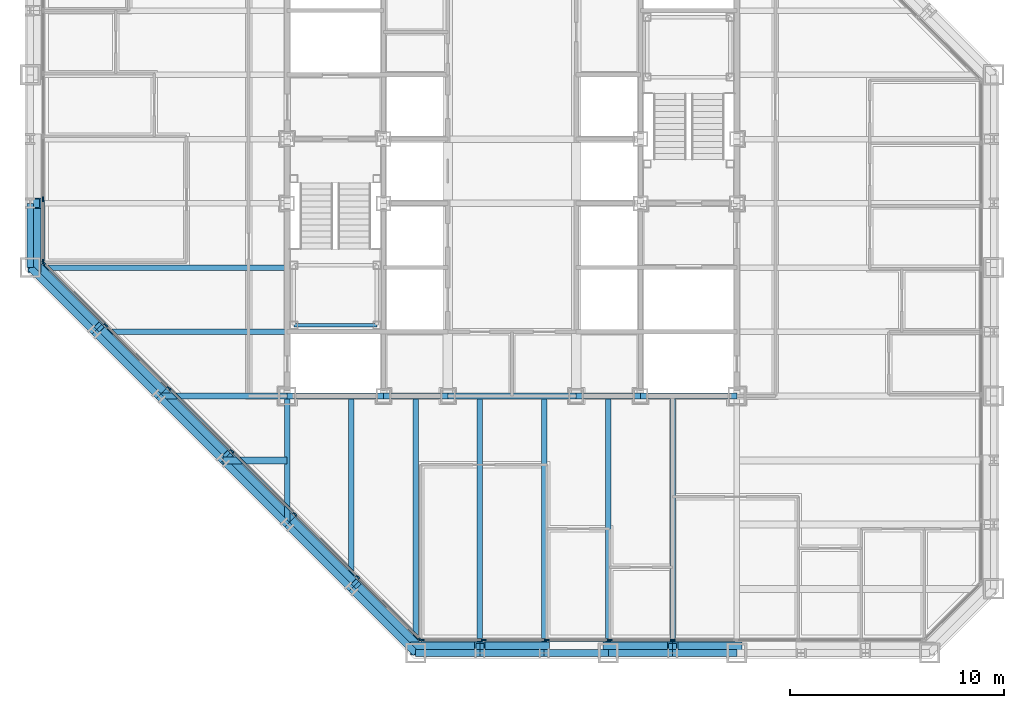
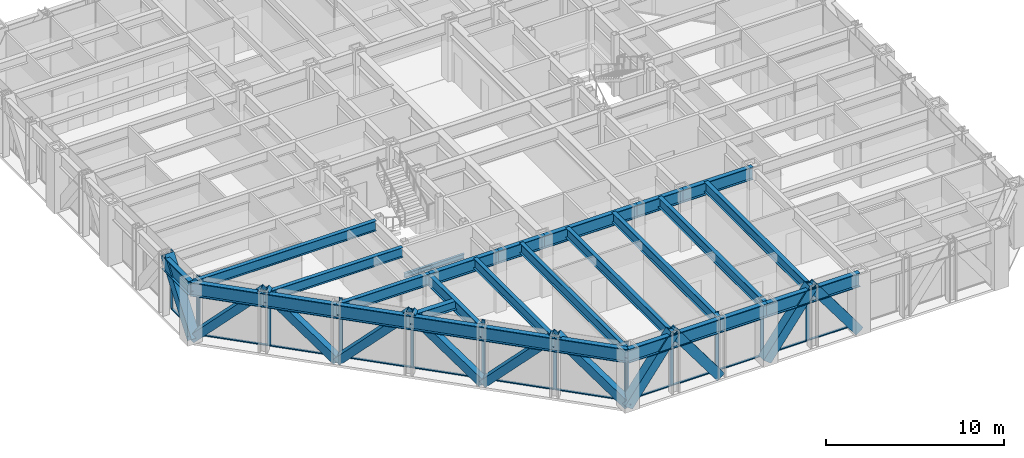
# One storey, part 4 of 16: 37 members, 29 beams, 3 elements without a shape of their own.
"""IFC4 building model written with IfcOpenShell, lengths in metres."""

from ifc_helpers import new_model, si_unit, direction, frame, origin, origin_2d, place, context, subcontext, project, spatial, rectangle, hollow_rectangle, i_section, extrude, material, layer, layer_set, material_profile, profile_set, type_object, element, aggregate, save


model = new_model("IFC4")

# Units and contexts
model_context = context("Model", 3, precision=1e-05, world=origin(), true_north=direction((0.0, 1.0)))
body_context = subcontext(model_context, "Body", "Model", "MODEL_VIEW")
ifc_project = project(units=[si_unit("LENGTHUNIT", "METRE"), si_unit("AREAUNIT", "SQUARE_METRE"), si_unit("VOLUMEUNIT", "CUBIC_METRE"), si_unit("PLANEANGLEUNIT", "RADIAN"), si_unit("MASSUNIT", "GRAM", prefix="KILO")], contexts=[model_context])

# Site, building, storey
site_placement = place(None, origin())
site = spatial("IfcSite", under=ifc_project, at=site_placement, CompositionType="ELEMENT")
building_placement = place(site_placement, origin())
building = spatial("IfcBuilding", under=site, at=building_placement, Name="Chuquiago Exchange Tower", CompositionType="ELEMENT")
storey_placement = place(building_placement, frame((0.0, 0.0, 119.39990234375)))
storey = spatial("IfcBuildingStorey", under=building, at=storey_placement, Name="L25", CompositionType="ELEMENT", Elevation=119.39990234375)

# Beams
ifc_material_1 = material(Name="Steel ASTM A992", Category="steel")
ifc_material_profile_1 = material_profile(ifc_material_1, i_section(OverallWidth=0.25390625, OverallDepth=0.683349609375, WebThickness=0.012451171875, FlangeThickness=0.018798828125, at=origin_2d()), Name="W27X94")
ifc_profile_set_1 = profile_set([ifc_material_profile_1], Name="Steel ASTM A992")
beam_type_1 = type_object("IfcBeamType", Name="B1 W27X94", PredefinedType="BEAM", material=ifc_profile_set_1)
beam_1_placement = place(storey_placement, frame((15.0, 12.0, 3.698486328125), z_axis=(0.0, -1.0, 0.0), x_axis=(1.0, 0.0, 0.0)))
element("IfcBeam", 1, at=beam_1_placement, inside=storey, type_object=beam_type_1, Name="FB-L26-infill-15_12-15_3-0", PredefinedType="BEAM", context=body_context, shape_type="SweptSolid", body=[
    extrude(i_section(OverallWidth=0.25390625, OverallDepth=0.683349609375, WebThickness=0.012451171875, FlangeThickness=0.018798828125, at=origin_2d()), origin(), (0.0, 0.0, 1.0), 9.0),
])
for number, where, z_axis, x_axis, name in (
    (2, (18.0, 12.0, 3.698486328125), (0.0, -1.0, 0.0), (1.0, 0.0, 0.0), "FB-L26-infill-18_12-18_-0-0"),
    (3, (21.0, 12.0, 3.698486328125), (0.0, -1.0, 0.0), (1.0, 0.0, 0.0), "FB-L26-infill-21_12-21_-0-0"),
    (4, (24.0, 12.0, 3.698486328125), (0.0, -1.0, 0.0), (1.0, 0.0, 0.0), "FB-L26-infill-24_12-24_-0-0"),
    (5, (27.0, 12.0, 3.698486328125), (0.0, -1.0, 0.0), (1.0, 0.0, 0.0), "FB-L26-infill-27_12-27_-0-0"),
    (6, (30.0, 12.0, 3.698486328125), (0.0, -1.0, 0.0), (1.0, 0.0, 0.0), "FB-L26-infill-30_12-30_-0-0"),
):
    element("IfcBeam", number, at=place(storey_placement, frame(where, z_axis=z_axis, x_axis=x_axis)), inside=storey, type_object=beam_type_1, Name=name, PredefinedType="BEAM", context=body_context, shape_type="SweptSolid", body=[
        extrude(i_section(OverallWidth=0.25390625, OverallDepth=0.683349609375, WebThickness=0.012451171875, FlangeThickness=0.018798828125, at=origin_2d()), origin(), (0.0, 0.0, 1.0), 12.0),
    ])
beam_2_placement = place(storey_placement, frame((12.0, 15.0, 3.698486328125), z_axis=(-1.0, 0.0, 0.0), x_axis=(0.0, -1.0, 0.0)))
element("IfcBeam", 7, at=beam_2_placement, inside=storey, type_object=beam_type_1, Name="FB-L26-infill-12_15-3_15-0", PredefinedType="BEAM", context=body_context, shape_type="SweptSolid", body=[
    extrude(i_section(OverallWidth=0.25390625, OverallDepth=0.683349609375, WebThickness=0.012451171875, FlangeThickness=0.018798828125, at=origin_2d()), origin(), (0.0, 0.0, 1.0), 9.0),
])
beam_3_placement = place(storey_placement, frame((12.0, 18.0, 3.698486328125), z_axis=(-1.0, 0.0, 0.0), x_axis=(0.0, -1.0, 0.0)))
element("IfcBeam", 8, at=beam_3_placement, inside=storey, type_object=beam_type_1, Name="FB-L26-infill-12_18--0_18-0", PredefinedType="BEAM", context=body_context, shape_type="SweptSolid", body=[
    extrude(i_section(OverallWidth=0.25390625, OverallDepth=0.683349609375, WebThickness=0.012451171875, FlangeThickness=0.018798828125, at=origin_2d()), origin(), (0.0, 0.0, 1.0), 12.0),
])
ifc_material_2 = material(Name="Steel ASTM A992", Category="steel")
ifc_material_profile_2 = material_profile(ifc_material_2, i_section(OverallWidth=0.3251953125, OverallDepth=0.612060546875, WebThickness=0.0126953125, FlangeThickness=0.01904296875, at=origin_2d()), Name="W24X104")
ifc_profile_set_2 = profile_set([ifc_material_profile_2], Name="Steel ASTM A992")
beam_type_2 = type_object("IfcBeamType", Name="B2 W24X104", PredefinedType="BEAM", material=ifc_profile_set_2)
beam_4_placement = place(storey_placement, frame((12.0, 9.0, 3.73388671875), z_axis=(-1.0, 0.0, 0.0), x_axis=(0.0, -1.0, 0.0)))
element("IfcBeam", 9, at=beam_4_placement, inside=storey, type_object=beam_type_2, Name="FB-L26-corner-12_9-9_9-0", PredefinedType="BEAM", context=body_context, shape_type="SweptSolid", body=[
    extrude(i_section(OverallWidth=0.3251953125, OverallDepth=0.612060546875, WebThickness=0.0126953125, FlangeThickness=0.01904296875, at=origin_2d()), origin(), (0.0, 0.0, 1.0), 3.0),
])
ifc_material_3 = material(Name="Steel ASTM A992", Category="steel")
ifc_material_profile_3 = material_profile(ifc_material_3, i_section(OverallWidth=0.2919921875, OverallDepth=0.8583984375, WebThickness=0.01708984375, FlangeThickness=0.031005859375, at=origin_2d()), Name="W33X169")
ifc_profile_set_3 = profile_set([ifc_material_profile_3], Name="Steel ASTM A992")
beam_type_3 = type_object("IfcBeamType", Name="B3 W33X169", PredefinedType="BEAM", material=ifc_profile_set_3)
beam_5_placement = place(storey_placement, frame((12.0, 12.0, 3.61083984375), z_axis=(1.0, 0.0, 0.0), x_axis=(0.0, 1.0, 0.0)))
element("IfcBeam", 10, at=beam_5_placement, inside=storey, type_object=beam_type_3, Name="CB-L26-12_12-16.5_12", PredefinedType="BEAM", context=body_context, shape_type="SweptSolid", body=[
    extrude(i_section(OverallWidth=0.2919921875, OverallDepth=0.8583984375, WebThickness=0.01708984375, FlangeThickness=0.031005859375, at=origin_2d()), origin(), (0.0, 0.0, 1.0), 4.5),
])
beam_6_placement = place(storey_placement, frame((16.5, 12.0, 3.61083984375), z_axis=(1.0, 0.0, 0.0), x_axis=(0.0, 1.0, 0.0)))
element("IfcBeam", 11, at=beam_6_placement, inside=storey, type_object=beam_type_3, Name="CB-L26-16.5_12-19.5_12", PredefinedType="BEAM", context=body_context, shape_type="SweptSolid", body=[
    extrude(i_section(OverallWidth=0.2919921875, OverallDepth=0.8583984375, WebThickness=0.01708984375, FlangeThickness=0.031005859375, at=origin_2d()), origin(), (0.0, 0.0, 1.0), 3.0),
])
beam_7_placement = place(storey_placement, frame((19.5, 12.0, 3.61083984375), z_axis=(1.0, 0.0, 0.0), x_axis=(0.0, 1.0, 0.0)))
element("IfcBeam", 12, at=beam_7_placement, inside=storey, type_object=beam_type_3, Name="CB-L26-19.5_12-25.5_12", PredefinedType="BEAM", context=body_context, shape_type="SweptSolid", body=[
    extrude(i_section(OverallWidth=0.2919921875, OverallDepth=0.8583984375, WebThickness=0.01708984375, FlangeThickness=0.031005859375, at=origin_2d()), origin(), (0.0, 0.0, 1.0), 6.0),
])
beam_8_placement = place(storey_placement, frame((25.5, 12.0, 3.61083984375), z_axis=(1.0, 0.0, 0.0), x_axis=(0.0, 1.0, 0.0)))
element("IfcBeam", 13, at=beam_8_placement, inside=storey, type_object=beam_type_3, Name="CB-L26-25.5_12-28.5_12", PredefinedType="BEAM", context=body_context, shape_type="SweptSolid", body=[
    extrude(i_section(OverallWidth=0.2919921875, OverallDepth=0.8583984375, WebThickness=0.01708984375, FlangeThickness=0.031005859375, at=origin_2d()), origin(), (0.0, 0.0, 1.0), 3.0),
])
beam_9_placement = place(storey_placement, frame((28.5, 12.0, 3.61083984375), z_axis=(1.0, 0.0, 0.0), x_axis=(0.0, 1.0, 0.0)))
element("IfcBeam", 14, at=beam_9_placement, inside=storey, type_object=beam_type_3, Name="CB-L26-28.5_12-33_12", PredefinedType="BEAM", context=body_context, shape_type="SweptSolid", body=[
    extrude(i_section(OverallWidth=0.2919921875, OverallDepth=0.8583984375, WebThickness=0.01708984375, FlangeThickness=0.031005859375, at=origin_2d()), origin(), (0.0, 0.0, 1.0), 4.5),
])

# Curtain wall, members
ifc_material_4 = material(Name="Aluminium curtain wall system", Category="aluminium")
ifc_layer_1 = layer(ifc_material_4, 0.22509765625)
ifc_layer_set_1 = layer_set([ifc_layer_1], Name="CW2 office curtain wall")
curtain_wall_type_1 = type_object("IfcCurtainWallType", Name="CW2 office curtain wall", PredefinedType="NOTDEFINED", material=ifc_layer_set_1)
curtain_wall_1_placement = place(storey_placement, origin())
curtain_wall_1 = element("IfcCurtainWall", 15, at=curtain_wall_1_placement, inside=storey, type_object=curtain_wall_type_1, Name="CW2 curtain wall L25", PredefinedType="NOTDEFINED")
ifc_material_5 = material(Name="Aluminium mullion, pale anodised", Category="aluminium")
ifc_material_profile_4 = material_profile(ifc_material_5, rectangle(XDim=0.06494140625, YDim=0.22509765625, at=origin_2d()), Name="AL 65x225")
ifc_profile_set_4 = profile_set([ifc_material_profile_4], Name="Aluminium mullion, pale anodised")
member_type_1 = type_object("IfcMemberType", Name="CW2-M mullion 65x225", PredefinedType="MULLION", material=ifc_profile_set_4)
member_1_placement = place(storey_placement, frame((18.281005859375, 0.60009765625, 0.0), z_axis=(0.0, 0.0, 1.0), x_axis=(0.0, 1.0, 0.0)))
member_1 = element("IfcMember", 16, at=member_1_placement, type_object=member_type_1, Name="CW2 mullion 1", PredefinedType="MULLION", context=body_context, shape_type="SweptSolid", body=[
    extrude(rectangle(XDim=0.06494140625, YDim=0.22509765625, at=origin_2d()), origin(), (0.0, 0.0, 1.0), 4.0400390625),
])
member_2_placement = place(storey_placement, frame((21.186279296875, 0.60009765625, 0.0), z_axis=(0.0, 0.0, 1.0), x_axis=(0.0, 1.0, 0.0)))
member_2 = element("IfcMember", 17, at=member_2_placement, type_object=member_type_1, Name="CW2 mullion 2", PredefinedType="MULLION", context=body_context, shape_type="SweptSolid", body=[
    extrude(rectangle(XDim=0.06494140625, YDim=0.22509765625, at=origin_2d()), origin(), (0.0, 0.0, 1.0), 4.0400390625),
])
member_3_placement = place(storey_placement, frame((24.124267578125, 0.60009765625, 0.0), z_axis=(0.0, 0.0, 1.0), x_axis=(0.0, 1.0, 0.0)))
member_3 = element("IfcMember", 18, at=member_3_placement, type_object=member_type_1, Name="CW2 mullion 3", PredefinedType="MULLION", context=body_context, shape_type="SweptSolid", body=[
    extrude(rectangle(XDim=0.06494140625, YDim=0.22509765625, at=origin_2d()), origin(), (0.0, 0.0, 1.0), 4.0400390625),
])
member_4_placement = place(storey_placement, frame((27.06201171875, 0.60009765625, 0.0), z_axis=(0.0, 0.0, 1.0), x_axis=(0.0, 1.0, 0.0)))
member_4 = element("IfcMember", 19, at=member_4_placement, type_object=member_type_1, Name="CW2 mullion 4", PredefinedType="MULLION", context=body_context, shape_type="SweptSolid", body=[
    extrude(rectangle(XDim=0.06494140625, YDim=0.22509765625, at=origin_2d()), origin(), (0.0, 0.0, 1.0), 4.0400390625),
])
member_5_placement = place(storey_placement, frame((30.0, 0.60009765625, 0.0), z_axis=(0.0, 0.0, 1.0), x_axis=(0.0, 1.0, 0.0)))
member_5 = element("IfcMember", 20, at=member_5_placement, type_object=member_type_1, Name="CW2 mullion 5", PredefinedType="MULLION", context=body_context, shape_type="SweptSolid", body=[
    extrude(rectangle(XDim=0.06494140625, YDim=0.22509765625, at=origin_2d()), origin(), (0.0, 0.0, 1.0), 4.0400390625),
])

curtain_wall_2_placement = place(storey_placement, origin())
curtain_wall_2 = element("IfcCurtainWall", 21, at=curtain_wall_2_placement, inside=storey, type_object=curtain_wall_type_1, Name="CW2 curtain wall L25", PredefinedType="NOTDEFINED")
member_6_placement = place(storey_placement, frame((0.60009765625, 21.186279296875, 0.0), z_axis=(0.0, 0.0, 1.0), x_axis=(1.0, 0.0, 0.0)))
member_6 = element("IfcMember", 22, at=member_6_placement, type_object=member_type_1, Name="CW2 mullion 8", PredefinedType="MULLION", context=body_context, shape_type="SweptSolid", body=[
    extrude(rectangle(XDim=0.06494140625, YDim=0.22509765625, at=origin_2d()), origin(), (0.0, 0.0, 1.0), 4.0400390625),
])
member_7_placement = place(storey_placement, frame((0.60009765625, 18.281005859375, 0.0), z_axis=(0.0, 0.0, 1.0), x_axis=(1.0, 0.0, 0.0)))
member_7 = element("IfcMember", 23, at=member_7_placement, type_object=member_type_1, Name="CW2 mullion 9", PredefinedType="MULLION", context=body_context, shape_type="SweptSolid", body=[
    extrude(rectangle(XDim=0.06494140625, YDim=0.22509765625, at=origin_2d()), origin(), (0.0, 0.0, 1.0), 4.0400390625),
])

# Member
ifc_material_6 = material(Name="Aluminium transom, pale anodised", Category="aluminium")
ifc_material_profile_5 = material_profile(ifc_material_6, rectangle(XDim=0.139892578125, YDim=0.06494140625, at=origin_2d()), Name="AL 140x65")
ifc_profile_set_5 = profile_set([ifc_material_profile_5], Name="Aluminium transom, pale anodised")
member_type_2 = type_object("IfcMemberType", Name="CW2-T transom 65x140", PredefinedType="MULLION", material=ifc_profile_set_5)
member_8_placement = place(storey_placement, frame((18.3134765625, 0.60009765625, 0.03271484375), z_axis=(1.0, 0.0, 0.0), x_axis=(0.0, 1.0, 0.0)))
member_8 = element("IfcMember", 24, at=member_8_placement, type_object=member_type_2, Name="CW2 transom 1.1", PredefinedType="MULLION", context=body_context, shape_type="SweptSolid", body=[
    extrude(rectangle(XDim=0.139892578125, YDim=0.06494140625, at=origin_2d()), origin(), (0.0, 0.0, 1.0), 2.84033203125),
])

member_9_placement = place(storey_placement, frame((21.218994140625, 0.60009765625, 0.03271484375), z_axis=(1.0, 0.0, 0.0), x_axis=(0.0, 1.0, 0.0)))
member_9 = element("IfcMember", 25, at=member_9_placement, type_object=member_type_2, Name="CW2 transom 2.1", PredefinedType="MULLION", context=body_context, shape_type="SweptSolid", body=[
    extrude(rectangle(XDim=0.139892578125, YDim=0.06494140625, at=origin_2d()), origin(), (0.0, 0.0, 1.0), 2.872802734375),
])

member_10_placement = place(storey_placement, frame((24.15673828125, 0.60009765625, 0.03271484375), z_axis=(1.0, 0.0, 0.0), x_axis=(0.0, 1.0, 0.0)))
member_10 = element("IfcMember", 26, at=member_10_placement, type_object=member_type_2, Name="CW2 transom 3.1", PredefinedType="MULLION", context=body_context, shape_type="SweptSolid", body=[
    extrude(rectangle(XDim=0.139892578125, YDim=0.06494140625, at=origin_2d()), origin(), (0.0, 0.0, 1.0), 2.872802734375),
])

member_11_placement = place(storey_placement, frame((27.0947265625, 0.60009765625, 0.03271484375), z_axis=(1.0, 0.0, 0.0), x_axis=(0.0, 1.0, 0.0)))
member_11 = element("IfcMember", 27, at=member_11_placement, type_object=member_type_2, Name="CW2 transom 4.1", PredefinedType="MULLION", context=body_context, shape_type="SweptSolid", body=[
    extrude(rectangle(XDim=0.139892578125, YDim=0.06494140625, at=origin_2d()), origin(), (0.0, 0.0, 1.0), 2.872802734375),
])

member_12_placement = place(storey_placement, frame((30.032470703125, 0.60009765625, 0.03271484375), z_axis=(1.0, 0.0, 0.0), x_axis=(0.0, 1.0, 0.0)))
member_12 = element("IfcMember", 28, at=member_12_placement, type_object=member_type_2, Name="CW2 transom 5.1", PredefinedType="MULLION", context=body_context, shape_type="SweptSolid", body=[
    extrude(rectangle(XDim=0.139892578125, YDim=0.06494140625, at=origin_2d()), origin(), (0.0, 0.0, 1.0), 2.872802734375),
])

aggregate(curtain_wall_1, [member_1, member_2, member_3, member_4, member_5, member_8, member_9, member_10, member_11, member_12])

member_13_placement = place(storey_placement, frame((0.60009765625, 21.15380859375, 0.03271484375), z_axis=(0.0, -1.0, 0.0), x_axis=(1.0, 0.0, 0.0)))
member_13 = element("IfcMember", 29, at=member_13_placement, type_object=member_type_2, Name="CW2 transom 8.1", PredefinedType="MULLION", context=body_context, shape_type="SweptSolid", body=[
    extrude(rectangle(XDim=0.139892578125, YDim=0.06494140625, at=origin_2d()), origin(), (0.0, 0.0, 1.0), 2.84033203125),
])

aggregate(curtain_wall_2, [member_6, member_7, member_13])

# Curtain wall, members
ifc_material_7 = material(Name="Aluminium curtain wall system", Category="aluminium")
ifc_layer_2 = layer(ifc_material_7, 0.199951171875)
ifc_layer_set_2 = layer_set([ifc_layer_2], Name="CW3 facet curtain wall")
curtain_wall_type_2 = type_object("IfcCurtainWallType", Name="CW3 facet curtain wall", PredefinedType="NOTDEFINED", material=ifc_layer_set_2)
curtain_wall_3_placement = place(storey_placement, origin())
curtain_wall_3 = element("IfcCurtainWall", 30, at=curtain_wall_3_placement, inside=storey, type_object=curtain_wall_type_2, Name="CW3 curtain wall L25", PredefinedType="NOTDEFINED")
ifc_material_8 = material(Name="Aluminium mullion, pale anodised", Category="aluminium")
ifc_material_profile_6 = material_profile(ifc_material_8, rectangle(XDim=0.06494140625, YDim=0.199951171875, at=origin_2d()), Name="AL 65x200")
ifc_profile_set_6 = profile_set([ifc_material_profile_6], Name="Aluminium mullion, pale anodised")
member_type_3 = type_object("IfcMemberType", Name="CW3-M mullion 65x200", PredefinedType="MULLION", material=ifc_profile_set_6)
member_14_placement = place(storey_placement, frame((0.623046875, 18.2255859375, 0.0), z_axis=(0.0, 0.0, 1.0), x_axis=(0.707106781187, 0.707106781187, 0.0)))
member_14 = element("IfcMember", 31, at=member_14_placement, type_object=member_type_3, Name="CW3 mullion 1", PredefinedType="MULLION", context=body_context, shape_type="SweptSolid", body=[
    extrude(rectangle(XDim=0.06494140625, YDim=0.199951171875, at=origin_2d()), origin(), (0.0, 0.0, 1.0), 4.0400390625),
])
member_15_placement = place(storey_placement, frame((3.54150390625, 15.30712890625, 0.0), z_axis=(0.0, 0.0, 1.0), x_axis=(0.707106781187, 0.707106781187, 0.0)))
member_15 = element("IfcMember", 32, at=member_15_placement, type_object=member_type_3, Name="CW3 mullion 2", PredefinedType="MULLION", context=body_context, shape_type="SweptSolid", body=[
    extrude(rectangle(XDim=0.06494140625, YDim=0.199951171875, at=origin_2d()), origin(), (0.0, 0.0, 1.0), 4.0400390625),
])
member_16_placement = place(storey_placement, frame((6.48291015625, 12.36572265625, 0.0), z_axis=(0.0, 0.0, 1.0), x_axis=(0.707106781187, 0.707106781187, 0.0)))
member_16 = element("IfcMember", 33, at=member_16_placement, type_object=member_type_3, Name="CW3 mullion 3", PredefinedType="MULLION", context=body_context, shape_type="SweptSolid", body=[
    extrude(rectangle(XDim=0.06494140625, YDim=0.199951171875, at=origin_2d()), origin(), (0.0, 0.0, 1.0), 4.0400390625),
])
member_17_placement = place(storey_placement, frame((9.42431640625, 9.42431640625, 0.0), z_axis=(0.0, 0.0, 1.0), x_axis=(0.707106781187, 0.707106781187, 0.0)))
member_17 = element("IfcMember", 34, at=member_17_placement, type_object=member_type_3, Name="CW3 mullion 4", PredefinedType="MULLION", context=body_context, shape_type="SweptSolid", body=[
    extrude(rectangle(XDim=0.06494140625, YDim=0.199951171875, at=origin_2d()), origin(), (0.0, 0.0, 1.0), 4.0400390625),
])
member_18_placement = place(storey_placement, frame((12.36572265625, 6.48291015625, 0.0), z_axis=(0.0, 0.0, 1.0), x_axis=(0.707106781187, 0.707106781187, 0.0)))
member_18 = element("IfcMember", 35, at=member_18_placement, type_object=member_type_3, Name="CW3 mullion 5", PredefinedType="MULLION", context=body_context, shape_type="SweptSolid", body=[
    extrude(rectangle(XDim=0.06494140625, YDim=0.199951171875, at=origin_2d()), origin(), (0.0, 0.0, 1.0), 4.0400390625),
])
member_19_placement = place(storey_placement, frame((15.30712890625, 3.54150390625, 0.0), z_axis=(0.0, 0.0, 1.0), x_axis=(0.707106781187, 0.707106781187, 0.0)))
member_19 = element("IfcMember", 36, at=member_19_placement, type_object=member_type_3, Name="CW3 mullion 6", PredefinedType="MULLION", context=body_context, shape_type="SweptSolid", body=[
    extrude(rectangle(XDim=0.06494140625, YDim=0.199951171875, at=origin_2d()), origin(), (0.0, 0.0, 1.0), 4.0400390625),
])
member_20_placement = place(storey_placement, frame((18.2255859375, 0.623046875, 0.0), z_axis=(0.0, 0.0, 1.0), x_axis=(0.707106781187, 0.707106781187, 0.0)))
member_20 = element("IfcMember", 37, at=member_20_placement, type_object=member_type_3, Name="CW3 mullion 7", PredefinedType="MULLION", context=body_context, shape_type="SweptSolid", body=[
    extrude(rectangle(XDim=0.06494140625, YDim=0.199951171875, at=origin_2d()), origin(), (0.0, 0.0, 1.0), 4.0400390625),
])
ifc_material_9 = material(Name="Aluminium transom, pale anodised", Category="aluminium")
ifc_material_profile_7 = material_profile(ifc_material_9, rectangle(XDim=0.139892578125, YDim=0.06494140625, at=origin_2d()), Name="AL 140x65")
ifc_profile_set_7 = profile_set([ifc_material_profile_7], Name="Aluminium transom, pale anodised")
member_type_4 = type_object("IfcMemberType", Name="CW3-T transom 65x140", PredefinedType="MULLION", material=ifc_profile_set_7)
member_21_placement = place(storey_placement, frame((0.64599609375, 18.20263671875, 0.03271484375), z_axis=(0.707106781187, -0.707106781187, 0.0), x_axis=(0.707106781187, 0.707106781187, 0.0)))
member_21 = element("IfcMember", 38, at=member_21_placement, type_object=member_type_4, Name="CW3 transom 1.1", PredefinedType="MULLION", context=body_context, shape_type="SweptSolid", body=[
    extrude(rectangle(XDim=0.139892578125, YDim=0.06494140625, at=origin_2d()), origin(), (0.0, 0.0, 1.0), 4.0625),
])
member_22_placement = place(storey_placement, frame((3.564453125, 15.2841796875, 0.03271484375), z_axis=(0.707106781187, -0.707106781187, 0.0), x_axis=(0.707106781187, 0.707106781187, 0.0)))
member_22 = element("IfcMember", 39, at=member_22_placement, type_object=member_type_4, Name="CW3 transom 2.1", PredefinedType="MULLION", context=body_context, shape_type="SweptSolid", body=[
    extrude(rectangle(XDim=0.139892578125, YDim=0.06494140625, at=origin_2d()), origin(), (0.0, 0.0, 1.0), 4.094970703125),
])
member_23_placement = place(storey_placement, frame((6.505859375, 12.3427734375, 0.03271484375), z_axis=(0.707106781187, -0.707106781187, 0.0), x_axis=(0.707106781187, 0.707106781187, 0.0)))
member_23 = element("IfcMember", 40, at=member_23_placement, type_object=member_type_4, Name="CW3 transom 3.1", PredefinedType="MULLION", context=body_context, shape_type="SweptSolid", body=[
    extrude(rectangle(XDim=0.139892578125, YDim=0.06494140625, at=origin_2d()), origin(), (0.0, 0.0, 1.0), 4.094970703125),
])
member_24_placement = place(storey_placement, frame((9.447265625, 9.4013671875, 0.03271484375), z_axis=(0.707106781187, -0.707106781187, 0.0), x_axis=(0.707106781187, 0.707106781187, 0.0)))
member_24 = element("IfcMember", 41, at=member_24_placement, type_object=member_type_4, Name="CW3 transom 4.1", PredefinedType="MULLION", context=body_context, shape_type="SweptSolid", body=[
    extrude(rectangle(XDim=0.139892578125, YDim=0.06494140625, at=origin_2d()), origin(), (0.0, 0.0, 1.0), 4.094970703125),
])
member_25_placement = place(storey_placement, frame((12.388671875, 6.4599609375, 0.03271484375), z_axis=(0.707106781187, -0.707106781187, 0.0), x_axis=(0.707106781187, 0.707106781187, 0.0)))
member_25 = element("IfcMember", 42, at=member_25_placement, type_object=member_type_4, Name="CW3 transom 5.1", PredefinedType="MULLION", context=body_context, shape_type="SweptSolid", body=[
    extrude(rectangle(XDim=0.139892578125, YDim=0.06494140625, at=origin_2d()), origin(), (0.0, 0.0, 1.0), 4.094970703125),
])
member_26_placement = place(storey_placement, frame((15.330078125, 3.5185546875, 0.03271484375), z_axis=(0.707106781187, -0.707106781187, 0.0), x_axis=(0.707106781187, 0.707106781187, 0.0)))
member_26 = element("IfcMember", 43, at=member_26_placement, type_object=member_type_4, Name="CW3 transom 6.1", PredefinedType="MULLION", context=body_context, shape_type="SweptSolid", body=[
    extrude(rectangle(XDim=0.139892578125, YDim=0.06494140625, at=origin_2d()), origin(), (0.0, 0.0, 1.0), 4.0625),
])
aggregate(curtain_wall_3, [member_14, member_15, member_16, member_17, member_18, member_19, member_20, member_21, member_22, member_23, member_24, member_25, member_26])

# Beams
ifc_material_10 = material(Name="Steel ASTM A992", Category="steel")
ifc_material_profile_8 = material_profile(ifc_material_10, i_section(OverallWidth=0.2666015625, OverallDepth=0.76953125, WebThickness=0.015625, FlangeThickness=0.025390625, at=origin_2d()), Name="W30X132")
ifc_profile_set_8 = profile_set([ifc_material_profile_8], Name="Steel ASTM A992")
beam_type_4 = type_object("IfcBeamType", Name="G1 W30X132", PredefinedType="BEAM", material=ifc_profile_set_8)
for number, where, z_axis, x_axis, name in (
    (44, (12.0, 12.0, 3.6552734375), (0.0, -1.0, 0.0), (1.0, 0.0, 0.0), "FB-L26-girder-12_12-12_6-0"),
    (45, (12.0, 12.0, 3.6552734375), (-1.0, 0.0, 0.0), (0.0, -1.0, 0.0), "FB-L26-girder-12_12-6_12-0"),
):
    element("IfcBeam", number, at=place(storey_placement, frame(where, z_axis=z_axis, x_axis=x_axis)), inside=storey, type_object=beam_type_4, Name=name, PredefinedType="BEAM", context=body_context, shape_type="SweptSolid", body=[
        extrude(i_section(OverallWidth=0.2666015625, OverallDepth=0.76953125, WebThickness=0.015625, FlangeThickness=0.025390625, at=origin_2d()), origin(), (0.0, 0.0, 1.0), 6.0),
    ])

# Members
ifc_material_11 = material(Name="Steel ASTM A500 Grade C", Category="steel")
ifc_material_profile_9 = material_profile(ifc_material_11, hollow_rectangle(XDim=0.508056640625, YDim=0.508056640625, WallThickness=0.017822265625, at=origin_2d()), Name="HSS20X20X3/4")
ifc_profile_set_9 = profile_set([ifc_material_profile_9], Name="Steel ASTM A500 Grade C")
member_type_5 = type_object("IfcMemberType", Name="LB1 HSS20X20X3/4", PredefinedType="BRACE", material=ifc_profile_set_9)
for number, where, z_axis, x_axis, name in (
    (46, (0.177490234375, 18.177490234375, 0.0), (0.512077265487, -0.512077265487, 0.689604051861), (0.707106781187, 0.707106781187, 0.0), "LB-L25-0_18-3_15"),
    (47, (6.177490234375, 12.177490234375, 0.0), (-0.512077265487, 0.512077265487, 0.689604051861), (-0.707106781187, -0.707106781187, 0.0), "LB-L25-3_15-6_12"),
    (48, (6.177490234375, 12.177490234375, 0.0), (0.512077265487, -0.512077265487, 0.689604051861), (0.707106781187, 0.707106781187, 0.0), "LB-L25-6_12-9_9"),
    (49, (12.177490234375, 6.177490234375, 0.0), (-0.512077265487, 0.512077265487, 0.689604051861), (-0.707106781187, -0.707106781187, 0.0), "LB-L25-9_9-12_6"),
    (50, (12.177490234375, 6.177490234375, 0.0), (0.512077265487, -0.512077265487, 0.689604051861), (0.707106781187, 0.707106781187, 0.0), "LB-L25-12_6-15_3"),
    (51, (18.177490234375, 0.177490234375, 0.0), (-0.512077265487, 0.512077265487, 0.689604051861), (-0.707106781187, -0.707106781187, 0.0), "LB-L25-15_3-18_0"),
):
    element("IfcMember", number, at=place(storey_placement, frame(where, z_axis=z_axis, x_axis=x_axis)), inside=storey, type_object=member_type_5, Name=name, PredefinedType="BRACE", context=body_context, shape_type="SweptSolid", body=[
        extrude(hollow_rectangle(XDim=0.508056640625, YDim=0.508056640625, WallThickness=0.017822265625, at=origin_2d()), origin(), (0.0, 0.0, 1.0), 5.8583984375),
    ])

# Beam
ifc_material_12 = material(Name="Steel ASTM A992", Category="steel")
ifc_material_profile_10 = material_profile(ifc_material_12, i_section(OverallWidth=0.164794921875, OverallDepth=0.309814453125, WebThickness=0.005859375, FlangeThickness=0.009765625, at=origin_2d()), Name="W12X26")
ifc_profile_set_10 = profile_set([ifc_material_profile_10], Name="Steel ASTM A992")
beam_type_5 = type_object("IfcBeamType", Name="LT1 W12X26", PredefinedType="BEAM", material=ifc_profile_set_10)
beam_10_placement = place(storey_placement, frame((12.31005859375, 15.31005859375, 1.7451171875), z_axis=(1.0, 0.0, 0.0), x_axis=(0.0, 1.0, 0.0)))
element("IfcBeam", 52, at=beam_10_placement, inside=storey, type_object=beam_type_5, Name="Stair ST1 L25 landing 1 trimmer", PredefinedType="BEAM", context=body_context, shape_type="SweptSolid", body=[
    extrude(i_section(OverallWidth=0.164794921875, OverallDepth=0.309814453125, WebThickness=0.005859375, FlangeThickness=0.009765625, at=origin_2d()), origin(), (0.0, 0.0, 1.0), 3.8798828125),
])

# Members
ifc_material_13 = material(Name="Steel ASTM A572 Grade 50", Category="steel")
ifc_material_profile_11 = material_profile(ifc_material_13, hollow_rectangle(XDim=0.60009765625, YDim=0.60009765625, WallThickness=0.06005859375, at=origin_2d()), Name="BOX600X600X60")
ifc_profile_set_11 = profile_set([ifc_material_profile_11], Name="Steel ASTM A572 Grade 50")
member_type_6 = type_object("IfcMemberType", Name="MB2 BOX600X600X60", PredefinedType="BRACE", material=ifc_profile_set_11)
for number, where, z_axis, x_axis, name in (
    (53, (18.0, 0.205078125, 0.0), (0.596173923302, 0.0, 0.802855312728), (0.0, 1.0, 0.0), "Mega diagonal L25 S face"),
    (54, (24.0, 0.205078125, 0.0), (-0.596173923302, 0.0, 0.802855312728), (0.0, -1.0, 0.0), "Mega diagonal L25 S face"),
    (55, (27.0, 0.205078125, 0.0), (0.596173923302, 0.0, 0.802855312728), (0.0, 1.0, 0.0), "Mega diagonal L25 S face"),
    (56, (33.0, 0.205078125, 0.0), (-0.596173923302, 0.0, 0.802855312728), (0.0, -1.0, 0.0), "Mega diagonal L25 S face"),
    (57, (0.205078125, 18.0, 0.0), (0.0, 0.596173923302, 0.802855312728), (-1.0, 0.0, 0.0), "Mega diagonal L25 W face"),
):
    element("IfcMember", number, at=place(storey_placement, frame(where, z_axis=z_axis, x_axis=x_axis)), inside=storey, type_object=member_type_6, Name=name, PredefinedType="BRACE", context=body_context, shape_type="SweptSolid", body=[
        extrude(hollow_rectangle(XDim=0.60009765625, YDim=0.60009765625, WallThickness=0.06005859375, at=origin_2d()), origin(), (0.0, 0.0, 1.0), 5.031982421875),
    ])

# Beams
ifc_material_14 = material(Name="Steel ASTM A992", Category="steel")
ifc_material_profile_12 = material_profile(ifc_material_14, i_section(OverallWidth=0.309814453125, OverallDepth=0.949951171875, WebThickness=0.0244140625, FlangeThickness=0.0439453125, at=origin_2d()), Name="W36X256")
ifc_profile_set_12 = profile_set([ifc_material_profile_12], Name="Steel ASTM A992")
beam_type_6 = type_object("IfcBeamType", Name="SP2 W36X256", PredefinedType="SPANDREL", material=ifc_profile_set_12)
for number, where, z_axis, x_axis, name in (
    (58, (18.0, 0.0, 3.565185546875), (1.0, 0.0, 0.0), (0.0, 1.0, 0.0), "SPB-L26-18_0-21_0"),
    (59, (21.0, 0.0, 3.565185546875), (1.0, 0.0, 0.0), (0.0, 1.0, 0.0), "SPB-L26-21_0-24_0"),
    (60, (24.0, 0.0, 3.565185546875), (1.0, 0.0, 0.0), (0.0, 1.0, 0.0), "SPB-L26-24_0-27_0"),
    (61, (27.0, 0.0, 3.565185546875), (1.0, 0.0, 0.0), (0.0, 1.0, 0.0), "SPB-L26-27_0-30_0"),
    (62, (30.0, 0.0, 3.565185546875), (1.0, 0.0, 0.0), (0.0, 1.0, 0.0), "SPB-L26-30_0-33_0"),
    (63, (0.0, 21.0, 3.565185546875), (0.0, -1.0, 0.0), (1.0, 0.0, 0.0), "SPB-L26-0_21-0_18"),
):
    element("IfcBeam", number, at=place(storey_placement, frame(where, z_axis=z_axis, x_axis=x_axis)), inside=storey, type_object=beam_type_6, Name=name, PredefinedType="SPANDREL", context=body_context, shape_type="SweptSolid", body=[
        extrude(i_section(OverallWidth=0.309814453125, OverallDepth=0.949951171875, WebThickness=0.0244140625, FlangeThickness=0.0439453125, at=origin_2d()), origin(), (0.0, 0.0, 1.0), 3.0),
    ])
for number, where, z_axis, x_axis, name in (
    (64, (0.0, 18.0, 3.565185546875), (0.707106781187, -0.707106781187, 0.0), (0.707106781187, 0.707106781187, 0.0), "SPB-L26-0_18-3_15"),
    (65, (3.0, 15.0, 3.565185546875), (0.707106781187, -0.707106781187, 0.0), (0.707106781187, 0.707106781187, 0.0), "SPB-L26-3_15-6_12"),
    (66, (6.0, 12.0, 3.565185546875), (0.707106781187, -0.707106781187, 0.0), (0.707106781187, 0.707106781187, 0.0), "SPB-L26-6_12-9_9"),
    (67, (9.0, 9.0, 3.565185546875), (0.707106781187, -0.707106781187, 0.0), (0.707106781187, 0.707106781187, 0.0), "SPB-L26-9_9-12_6"),
    (68, (12.0, 6.0, 3.565185546875), (0.707106781187, -0.707106781187, 0.0), (0.707106781187, 0.707106781187, 0.0), "SPB-L26-12_6-15_3"),
    (69, (15.0, 3.0, 3.565185546875), (0.707106781187, -0.707106781187, 0.0), (0.707106781187, 0.707106781187, 0.0), "SPB-L26-15_3-18_0"),
):
    element("IfcBeam", number, at=place(storey_placement, frame(where, z_axis=z_axis, x_axis=x_axis)), inside=storey, type_object=beam_type_6, Name=name, PredefinedType="SPANDREL", context=body_context, shape_type="SweptSolid", body=[
        extrude(i_section(OverallWidth=0.309814453125, OverallDepth=0.949951171875, WebThickness=0.0244140625, FlangeThickness=0.0439453125, at=origin_2d()), origin(), (0.0, 0.0, 1.0), 4.24267578125),
    ])

save(model, "model.ifc")
